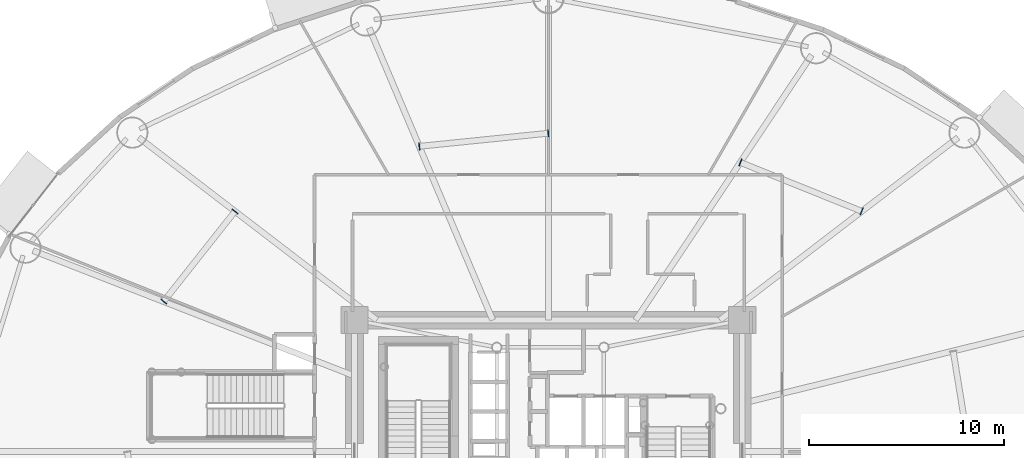
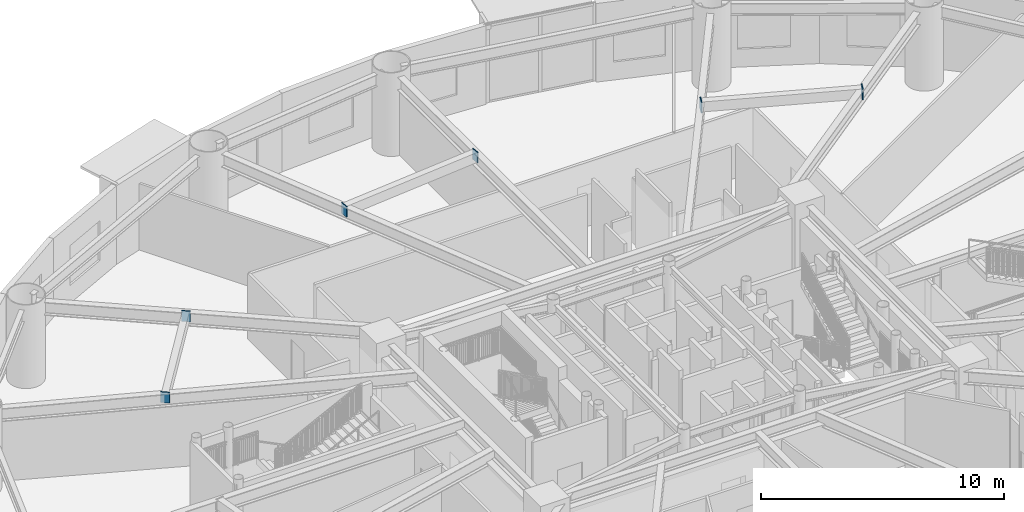
# One storey, part 18 of 35: 6 plates.
"""IFC4 building model written with IfcOpenShell, lengths in metres."""

import ifcopenshell
import ifcopenshell.guid

model = None  # the IFC model being written
_history = None  # IfcOwnerHistory: only IFC2X3 demands one
_inside = {}  # id of a spatial element -> (the spatial element, [elements in it])
_under = {}  # id of a project, library or spatial element -> (it, [spatial elements below it])
_declared = {}  # id of a project -> (the project, [libraries it declares])
_typed = {}  # id of a type object -> (the type object, [elements of that type])
_made_of = {}  # id of a material, layer set ... -> (it, [elements and type objects made of it])


def new_model(schema):
    """Start an empty IFC model of exactly this schema.

    Asked for "IFC4X3", IfcOpenShell would pick the latest addendum, in which some entities
    have other attributes; the version numbers below select the first issue.
    IFC2X3 requires an IfcOwnerHistory on every rooted entity: one is made here for all.
    """
    global model, _history
    if schema == "IFC4X3":
        model = ifcopenshell.file(schema_version=(4, 3, 0, 0))
    else:
        model = ifcopenshell.file(schema=schema)
    _inside.clear()
    _under.clear()
    _declared.clear()
    _typed.clear()
    _made_of.clear()
    _history = None
    if model.schema == "IFC2X3":
        org = make("IfcOrganization", Name="unknown")
        user = make(
            "IfcPersonAndOrganization",
            ThePerson=make("IfcPerson", FamilyName="unknown"),
            TheOrganization=org,
        )
        app = make(
            "IfcApplication",
            ApplicationDeveloper=org,
            Version="unknown",
            ApplicationFullName="unknown",
            ApplicationIdentifier="unknown",
        )
        _history = make(
            "IfcOwnerHistory",
            OwningUser=user,
            OwningApplication=app,
            ChangeAction="ADDED",
            CreationDate=0,
        )
    return model


def make(cls, **values):
    """One entity of the class cls with the attributes given. An attribute that is None is left unset."""
    return model.create_entity(
        cls, **{name: value for name, value in values.items() if value is not None}
    )


def rooted(cls, **values):
    """An entity with a GlobalId (a new one), such as an element, a storey or a relation."""
    return make(cls, GlobalId=ifcopenshell.guid.new(), OwnerHistory=_history, **values)


def si_unit(unit_type, name, prefix=None):
    """IfcSIUnit, for example si_unit("LENGTHUNIT", "METRE", prefix="MILLI")."""
    return make("IfcSIUnit", UnitType=unit_type, Prefix=prefix, Name=name)


def assignment(units):
    """IfcUnitAssignment: the units of a project."""
    return None if units is None else make("IfcUnitAssignment", Units=units)


def point(xyz):
    """IfcCartesianPoint."""
    return None if xyz is None else make("IfcCartesianPoint", Coordinates=xyz)


def direction(xyz):
    """IfcDirection."""
    return None if xyz is None else make("IfcDirection", DirectionRatios=xyz)


def frame(location, z_axis=None, x_axis=None):
    """IfcAxis2Placement3D, a coordinate frame: its origin and axes. An axis left out is left unset."""
    return make(
        "IfcAxis2Placement3D",
        Location=point(location),
        Axis=direction(z_axis),
        RefDirection=direction(x_axis),
    )


def frame_2d(location, x_axis=None):
    """IfcAxis2Placement2D, a coordinate frame in the plane: its origin and x axis."""
    return make(
        "IfcAxis2Placement2D", Location=point(location), RefDirection=direction(x_axis)
    )


def origin():
    """The frame at (0, 0, 0) with its axes left unset."""
    return frame((0.0, 0.0, 0.0))


def origin_2d():
    """The frame at (0, 0) in the plane with its x axis left unset."""
    return frame_2d((0.0, 0.0))


def place(relative_to, where):
    """IfcLocalPlacement: puts the frame where relative to a parent placement (None: the world)."""
    return make(
        "IfcLocalPlacement", PlacementRelTo=relative_to, RelativePlacement=where
    )


def context(
    kind, dimensions, precision=None, world=None, true_north=None, identifier=None
):
    """IfcGeometricRepresentationContext, for example the 3D "Model" context."""
    return make(
        "IfcGeometricRepresentationContext",
        ContextIdentifier=identifier,
        ContextType=kind,
        CoordinateSpaceDimension=dimensions,
        Precision=precision,
        WorldCoordinateSystem=world,
        TrueNorth=true_north,
    )


def subcontext(parent, identifier, kind, view, scale=None):
    """IfcGeometricRepresentationSubContext, for example "Body" below "Model"."""
    return make(
        "IfcGeometricRepresentationSubContext",
        ContextIdentifier=identifier,
        ContextType=kind,
        ParentContext=parent,
        TargetScale=scale,
        TargetView=view,
    )


def project(units=None, contexts=None):
    """IfcProject with its units and contexts."""
    return rooted(
        "IfcProject",
        Name="project",
        RepresentationContexts=contexts,
        UnitsInContext=assignment(units),
    )


def spatial(cls, under=None, at=None, **own):
    """A site, building, storey or space (cls), placed at a placement, below another one or the project."""
    s = rooted(cls, ObjectPlacement=at, **own)
    if under is not None:
        _under.setdefault(under.id(), (under, []))[1].append(s)
    return s


def profile(cls, at=None, kind="AREA", **sizes):
    """A parametric profile (cls). Its sizes go by their IFC names, for example OverallWidth=200.0."""
    return make(cls, ProfileType=kind, Position=at, **sizes)


def rectangle(**sizes):
    """IfcRectangleProfileDef."""
    return profile("IfcRectangleProfileDef", **sizes)


def extrude(swept, where, along, depth):
    """IfcExtrudedAreaSolid: the profile swept, set in the frame where, extruded along a direction by depth."""
    return make(
        "IfcExtrudedAreaSolid",
        SweptArea=swept,
        Position=where,
        ExtrudedDirection=direction(along),
        Depth=depth,
    )


def shape(context_of_items, identifier, shape_type, items):
    """IfcShapeRepresentation: the items that make up one representation, for example the "Body"."""
    return make(
        "IfcShapeRepresentation",
        ContextOfItems=context_of_items,
        RepresentationIdentifier=identifier,
        RepresentationType=shape_type,
        Items=items,
    )


def source(mapping_origin, context_of_items, identifier, shape_type, items):
    """IfcRepresentationMap: a shape defined once, which mapped items show again and again."""
    return make(
        "IfcRepresentationMap",
        MappingOrigin=mapping_origin,
        MappedRepresentation=shape(context_of_items, identifier, shape_type, items),
    )


def transform(
    local_origin,
    x_axis=None,
    y_axis=None,
    z_axis=None,
    scale=None,
    scale2=None,
    scale3=None,
    uniform=True,
):
    """IfcCartesianTransformationOperator3D, or its non-uniform kind. x_axis, y_axis, z_axis: its Axis1, 2, 3."""
    if uniform:
        return make(
            "IfcCartesianTransformationOperator3D",
            Axis1=direction(x_axis),
            Axis2=direction(y_axis),
            LocalOrigin=point(local_origin),
            Scale=scale,
            Axis3=direction(z_axis),
        )
    return make(
        "IfcCartesianTransformationOperator3DnonUniform",
        Axis1=direction(x_axis),
        Axis2=direction(y_axis),
        LocalOrigin=point(local_origin),
        Scale=scale,
        Axis3=direction(z_axis),
        Scale2=scale2,
        Scale3=scale3,
    )


def mapped(mapping_source, mapping_target):
    """IfcMappedItem: shows the shape of a source again, moved by a transform."""
    return make(
        "IfcMappedItem", MappingSource=mapping_source, MappingTarget=mapping_target
    )


def material(Name=None, Category=None):
    """IfcMaterial."""
    return make("IfcMaterial", Name=Name, Category=Category)


def layer(
    of_material, thickness, ventilated=None, Name=None, Category=None, Priority=None
):
    """IfcMaterialLayer: one layer of a wall or slab, of a material (None: an air gap)."""
    return make(
        "IfcMaterialLayer",
        Material=of_material,
        LayerThickness=thickness,
        IsVentilated=ventilated,
        Name=Name,
        Category=Category,
        Priority=Priority,
    )


def layer_set(layers, Name=None):
    """IfcMaterialLayerSet."""
    return make("IfcMaterialLayerSet", MaterialLayers=layers, LayerSetName=Name)


def made_of(thing, what):
    """Note that an element or type object is made of a material, layer set ...; save() writes the relation."""
    if what is not None:
        _made_of.setdefault(what.id(), (what, []))[1].append(thing)
    return thing


def type_object(cls, material=None, **own):
    """A type object (cls), such as IfcWallType, which elements share."""
    return made_of(rooted(cls, **own), material)


def element(
    cls,
    number,
    at=None,
    inside=None,
    cuts=None,
    type_object=None,
    material=None,
    context=None,
    identifier="Body",
    shape_type=None,
    held_by="IfcProductDefinitionShape",
    body=None,
    shapes=None,
    **own,
):
    """One element of the class cls, such as IfcWall. Its Tag is "e" and its number.

    at: its placement. inside: the storey or other place that contains it. cuts: it is an
    opening in that element (IfcRelVoidsElement). A single representation is given by context,
    identifier, shape_type and body (its items); several are given by shapes. held_by: the class
    of the entity that holds the representations. save() writes the other relations.
    """
    e = rooted(cls, Tag="e%d" % number, ObjectPlacement=at, **own)
    if body is not None:
        shapes = [shape(context, identifier, shape_type, body)]
    if shapes is not None:
        e.Representation = make(held_by, Representations=shapes)
    if inside is not None:
        _inside.setdefault(inside.id(), (inside, []))[1].append(e)
    if cuts is not None:
        rooted(
            "IfcRelVoidsElement", RelatingBuildingElement=cuts, RelatedOpeningElement=e
        )
    if type_object is not None:
        _typed.setdefault(type_object.id(), (type_object, []))[1].append(e)
    return made_of(e, material)


def aggregate(whole, parts):
    """IfcRelAggregates: a whole, such as a stair, and the parts it consists of."""
    return rooted("IfcRelAggregates", RelatingObject=whole, RelatedObjects=parts)


def save(model, path):
    """Write the relations noted so far, then the file.

    IfcRelAggregates (storeys below a building ...), IfcRelContainedInSpatialStructure (elements
    in a storey), IfcRelDefinesByType, IfcRelAssociatesMaterial and IfcRelDeclares: one each for
    every whole, place, type object, material and project.
    """
    for whole, parts in _under.values():
        aggregate(whole, parts)
    for where, things in _inside.values():
        rooted(
            "IfcRelContainedInSpatialStructure",
            RelatedElements=things,
            RelatingStructure=where,
        )
    for kind, things in _typed.values():
        rooted("IfcRelDefinesByType", RelatedObjects=things, RelatingType=kind)
    for what, things in _made_of.values():
        rooted("IfcRelAssociatesMaterial", RelatedObjects=things, RelatingMaterial=what)
    for by, libraries in _declared.values():
        rooted("IfcRelDeclares", RelatingContext=by, RelatedDefinitions=libraries)
    model.write(path)


model = new_model("IFC4")

# Units and contexts
model_context = context("Model", 3, precision=1e-05, world=origin(), true_north=direction((0.0, 1.0)))
body_context = subcontext(model_context, "Body", "Model", "MODEL_VIEW")
ifc_project = project(units=[si_unit("LENGTHUNIT", "METRE"), si_unit("AREAUNIT", "SQUARE_METRE"), si_unit("VOLUMEUNIT", "CUBIC_METRE"), si_unit("PLANEANGLEUNIT", "RADIAN"), si_unit("MASSUNIT", "GRAM", prefix="KILO")], contexts=[model_context])

# Site, building, storey
site_placement = place(None, origin())
site = spatial("IfcSite", under=ifc_project, at=site_placement, CompositionType="ELEMENT")
building_placement = place(site_placement, origin())
building = spatial("IfcBuilding", under=site, at=building_placement, Name="Linh Dai School and Residence Tower", CompositionType="ELEMENT")
storey_placement = place(building_placement, frame((0.0, 0.0, 49.199951171875)))
storey = spatial("IfcBuildingStorey", under=building, at=storey_placement, Name="L11", CompositionType="ELEMENT", Elevation=49.199951171875)

# Plates
ifc_material = material(Name="Structural Steel S355JR", Category="steel")
ifc_layer = layer(ifc_material, 0.0400390625)
ifc_layer_set = layer_set([ifc_layer], Name="Structural Steel S355JR")
plate_type = type_object("IfcPlateType", Name="PLT-GP1", PredefinedType="USERDEFINED", material=ifc_layer_set)
shared_shape = source(origin(), body_context, "Body", "SweptSolid", [
    extrude(rectangle(XDim=0.0400390625, YDim=0.3798828125, at=origin_2d()), origin(), (0.0, 0.0, 1.0), 0.5400390625),
])
for number, where, z_axis, x_axis, name in (
    (1, (52.078125, 39.3310546875, 3.429931640625), (0.0, 0.0, 1.0), (-0.927536459105, 0.373732681245, 0.0), "L11 Secondary Beam End Plate 02A"),
    (2, (45.8544921875, 41.838623046875, 3.429931640625), (0.0, 0.0, 1.0), (-0.927536459105, 0.373732681245, 0.0), "L11 Secondary Beam End Plate 02B"),
    (3, (35.9951171875, 43.3369140625, 3.429931640625), (0.0, 0.0, 1.0), (-0.994884100574, -0.101022900497, 0.0), "L11 Secondary Beam End Plate 03A"),
    (4, (29.378173828125, 42.6650390625, 3.429931640625), (0.0, 0.0, 1.0), (-0.994884100574, -0.101022900497, 0.0), "L11 Secondary Beam End Plate 03B"),
    (5, (19.914306640625, 39.3251953125, 3.429931640625), (0.0, 0.0, 1.0), (-0.620177637481, -0.784461406297, 0.0), "L11 Secondary Beam End Plate 04A"),
    (6, (16.259521484375, 34.702392578125, 3.429931640625), (0.0, 0.0, 1.0), (-0.620177637481, -0.784461406297, 0.0), "L11 Secondary Beam End Plate 04B"),
):
    element("IfcPlate", number, at=place(storey_placement, frame(where, z_axis=z_axis, x_axis=x_axis)), inside=storey, type_object=plate_type, Name=name, ObjectType="GUSSET PLATE", PredefinedType="USERDEFINED", context=body_context, shape_type="MappedRepresentation", body=[
        mapped(shared_shape, transform((0.0, 0.0, 0.0), x_axis=(1.0, 0.0, 0.0), y_axis=(0.0, 1.0, 0.0), z_axis=(0.0, 0.0, 1.0), scale=1.0)),
    ])

save(model, "model.ifc")
